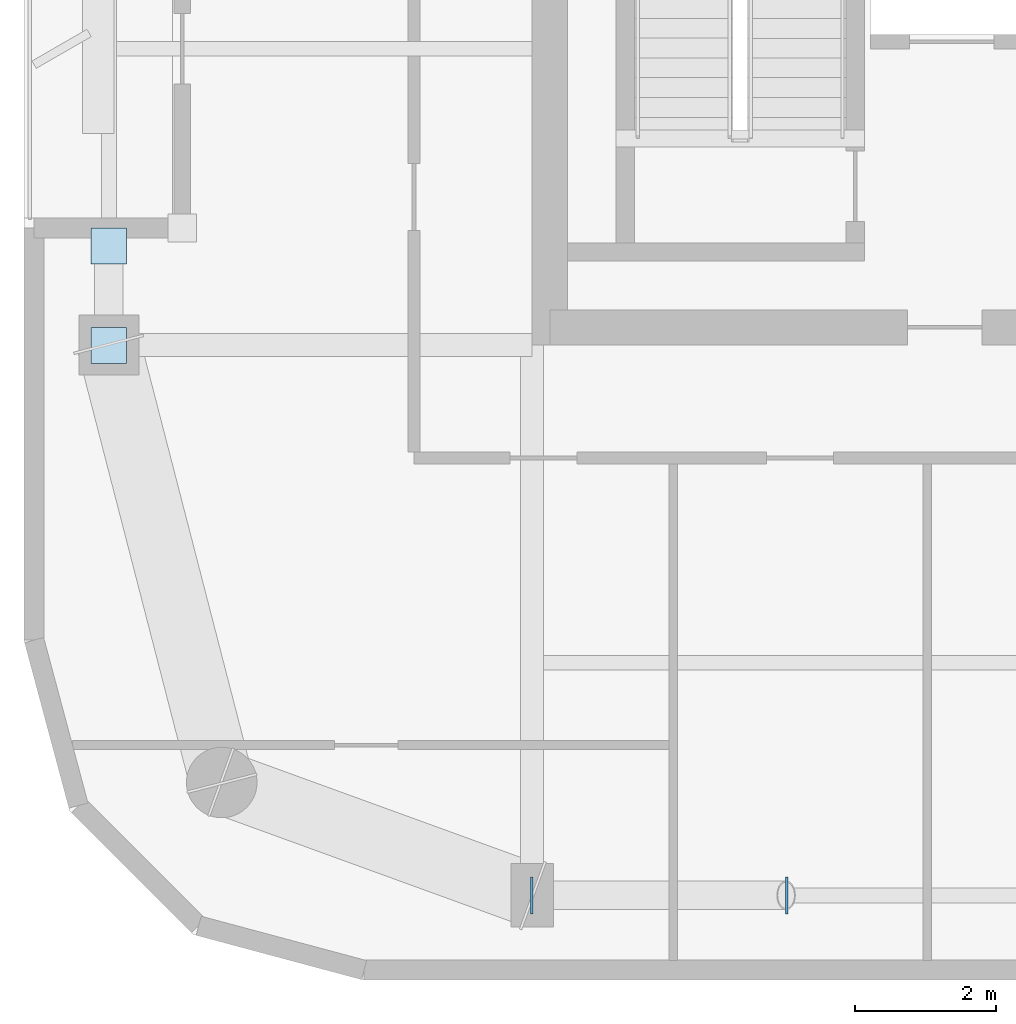
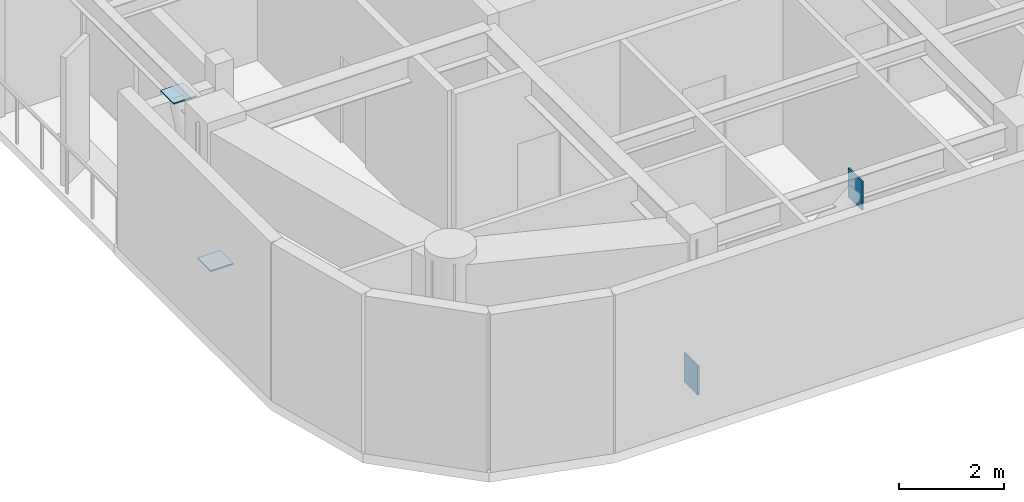
# One storey, part 8 of 16: 4 plates.
"""IFC4 building model written with IfcOpenShell, lengths in metres."""

from ifc_helpers import new_model, si_unit, direction, frame, origin, origin_2d, place, context, subcontext, project, spatial, rectangle, extrude, material, layer, layer_set, type_object, element, save


model = new_model("IFC4")

# Units and contexts
model_context = context("Model", 3, precision=1e-05, world=origin(), true_north=direction((0.0, 1.0)))
body_context = subcontext(model_context, "Body", "Model", "MODEL_VIEW")
ifc_project = project(units=[si_unit("LENGTHUNIT", "METRE"), si_unit("AREAUNIT", "SQUARE_METRE"), si_unit("VOLUMEUNIT", "CUBIC_METRE"), si_unit("PLANEANGLEUNIT", "RADIAN"), si_unit("MASSUNIT", "GRAM", prefix="KILO")], contexts=[model_context])

# Site, building, storey
site_placement = place(None, origin())
site = spatial("IfcSite", under=ifc_project, at=site_placement, CompositionType="ELEMENT")
building_placement = place(site_placement, origin())
building = spatial("IfcBuilding", under=site, at=building_placement, Name="Kiyonajd Concourse Tower", CompositionType="ELEMENT")
storey_placement = place(building_placement, frame((0.0, 0.0, 306.300048828125)))
storey = spatial("IfcBuildingStorey", under=building, at=storey_placement, Name="L77", CompositionType="ELEMENT", Elevation=306.300048828125)

# Plates
ifc_material = material(Name="Steel ASTM A572 Grade 50", Category="steel")
ifc_layer = layer(ifc_material, 0.028076171875)
ifc_layer_set = layer_set([ifc_layer], Name="Steel ASTM A572 Grade 50")
plate_type = type_object("IfcPlateType", Name="PL-CAP-450", PredefinedType="USERDEFINED", material=ifc_layer_set)
for number, where, z_axis, x_axis, name in (
    (1, (32.3916015625, 19.800048828125, -0.04248046875), (0.0, 0.0, 1.0), (-1.0, 0.0, 0.0), "L77 Hollow Brace End Cap Plate PBS"),
    (2, (36.00830078125, 19.800048828125, 3.001708984375), (0.0, 0.0, 1.0), (1.0, 0.0, 0.0), "L77 Hollow Brace Top Cap Plate PBS"),
):
    element("IfcPlate", number, at=place(storey_placement, frame(where, z_axis=z_axis, x_axis=x_axis)), inside=storey, type_object=plate_type, Name=name, ObjectType="CAP PLATE", PredefinedType="USERDEFINED", context=body_context, shape_type="SweptSolid", body=[
        extrude(rectangle(XDim=0.035888671875, YDim=0.52587890625, at=origin_2d()), origin(), (0.0, 0.0, 1.0), 0.6708984375),
    ])
for number, where, z_axis, x_axis, name in (
    (3, (26.39990234375, 27.595458984375, 0.27587890625), (0.0, 0.0, 1.0), (1.0, 0.0, 0.0), "L77 Hollow Brace End Cap Plate PBW"),
    (4, (26.39990234375, 29.004638671875, 3.32568359375), (0.0, 0.0, 1.0), (1.0, 0.0, 0.0), "L77 Hollow Brace Top Cap Plate PBW"),
):
    element("IfcPlate", number, at=place(storey_placement, frame(where, z_axis=z_axis, x_axis=x_axis)), inside=storey, type_object=plate_type, Name=name, ObjectType="CAP PLATE", PredefinedType="USERDEFINED", context=body_context, shape_type="SweptSolid", body=[
        extrude(rectangle(XDim=0.506103515625, YDim=0.506103515625, at=origin_2d()), origin(), (0.0, 0.0, 1.0), 0.028076171875),
    ])

save(model, "model.ifc")
